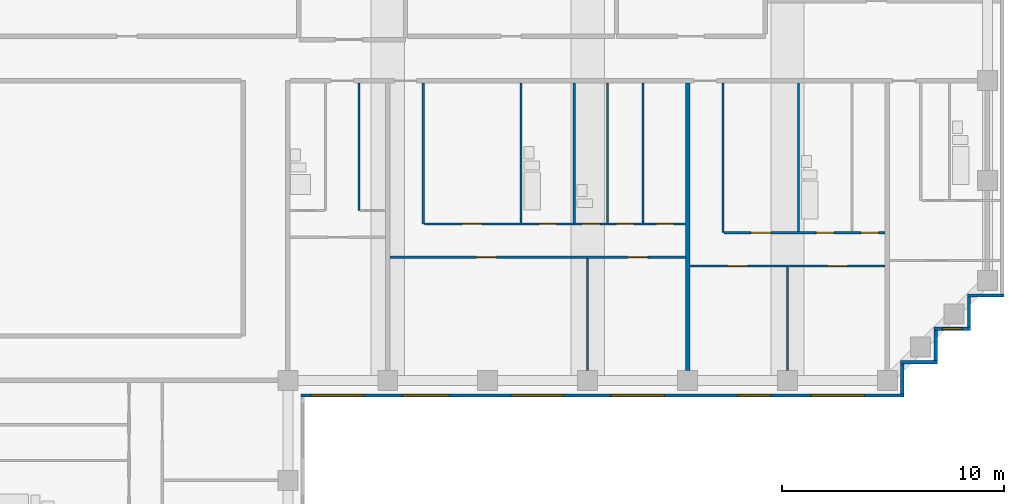
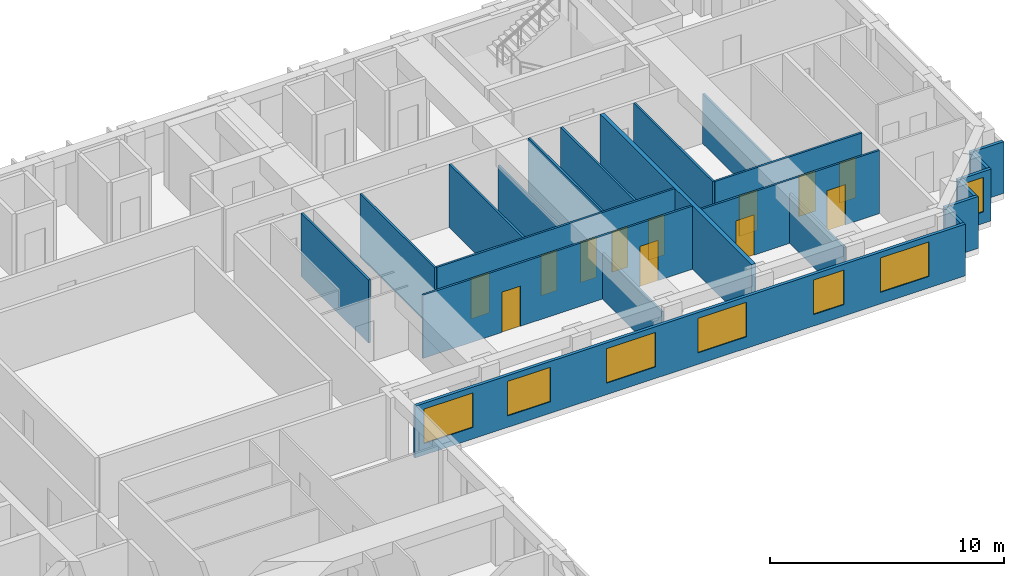
# One storey, part 4 of 9: 22 walls, 12 doors, 7 windows, 19 openings.
"""IFC4 building model written with IfcOpenShell, lengths in metres."""

from ifc_helpers import new_model, si_unit, direction, frame, frame_2d, origin, place, context, subcontext, project, spatial, rectangle, extrude, material, layer, layer_set, type_object, element, fill, save


model = new_model("IFC4")

# Units and contexts
model_context = context("Model", 3, precision=1e-05, world=origin(), true_north=direction((0.0, 1.0)))
body_context = subcontext(model_context, "Body", "Model", "MODEL_VIEW")
ifc_project = project(units=[si_unit("LENGTHUNIT", "METRE"), si_unit("AREAUNIT", "SQUARE_METRE"), si_unit("VOLUMEUNIT", "CUBIC_METRE"), si_unit("PLANEANGLEUNIT", "RADIAN"), si_unit("MASSUNIT", "GRAM", prefix="KILO")], contexts=[model_context])

# Site, building, storey
site_placement = place(None, origin())
site = spatial("IfcSite", under=ifc_project, at=site_placement, CompositionType="ELEMENT")
building_placement = place(site_placement, origin())
building = spatial("IfcBuilding", under=site, at=building_placement, Name="Firuza Court", CompositionType="ELEMENT")
storey_placement = place(building_placement, frame((0.0, 0.0, 218.60009765625)))
storey = spatial("IfcBuildingStorey", under=building, at=storey_placement, Name="L56", CompositionType="ELEMENT", Elevation=218.60009765625)

# Walls
ifc_material_1 = material(Name="Moisture-resistant gypsum board partition")
ifc_layer_1 = layer(ifc_material_1, 0.10009765625)
ifc_layer_set_1 = layer_set([ifc_layer_1], Name="Moisture-resistant gypsum board partition")
wall_type_1 = type_object("IfcWallType", Name="Bathroom partition 100", PredefinedType="PLUMBINGWALL", material=ifc_layer_set_1)
wall_1_placement = place(storey_placement, frame((45.5, 42.699951171875, 0.0), z_axis=(0.0, 0.0, 1.0), x_axis=(0.0, 1.0, 0.0)))
element("IfcWall", 1, at=wall_1_placement, inside=storey, type_object=wall_type_1, Name="Bathroom partition 100 L56", PredefinedType="PLUMBINGWALL", context=body_context, shape_type="SweptSolid", body=[
    extrude(rectangle(XDim=6.699951171875, YDim=0.10009765625, at=frame_2d((3.35009765625, 0.0))), origin(), (0.0, 0.0, 1.0), 2.599853515625),
])
wall_2_placement = place(storey_placement, frame((33.0, 43.10009765625, 0.0), z_axis=(0.0, 0.0, 1.0), x_axis=(0.0, 1.0, 0.0)))
element("IfcWall", 2, at=wall_2_placement, inside=storey, type_object=wall_type_1, Name="Bathroom partition 100 L56", PredefinedType="PLUMBINGWALL", context=body_context, shape_type="SweptSolid", body=[
    extrude(rectangle(XDim=6.2998046875, YDim=0.10009765625, at=frame_2d((3.14990234375, 0.0))), origin(), (0.0, 0.0, 1.0), 3.2998046875),
])
wall_3_placement = place(storey_placement, frame((35.39990234375, 43.10009765625, 0.0), z_axis=(0.0, 0.0, 1.0), x_axis=(0.0, 1.0, 0.0)))
element("IfcWall", 3, at=wall_3_placement, inside=storey, type_object=wall_type_1, Name="Bathroom partition 100 L56", PredefinedType="PLUMBINGWALL", context=body_context, shape_type="SweptSolid", body=[
    extrude(rectangle(XDim=6.2998046875, YDim=0.10009765625, at=frame_2d((3.14990234375, 0.0))), origin(), (0.0, 0.0, 1.0), 2.39990234375),
])
wall_4_placement = place(storey_placement, frame((36.89990234375, 43.10009765625, 0.0), z_axis=(0.0, 0.0, 1.0), x_axis=(0.0, 1.0, 0.0)))
element("IfcWall", 4, at=wall_4_placement, inside=storey, type_object=wall_type_1, Name="Bathroom partition 100 L56", PredefinedType="PLUMBINGWALL", context=body_context, shape_type="SweptSolid", body=[
    extrude(rectangle(XDim=6.2998046875, YDim=0.10009765625, at=frame_2d((3.14990234375, 0.0))), origin(), (0.0, 0.0, 1.0), 3.2998046875),
])
ifc_material_2 = material(Name="Timber stud partition, plasterboard both sides", Category="wood")
ifc_layer_2 = layer(ifc_material_2, 0.10009765625)
ifc_layer_set_2 = layer_set([ifc_layer_2], Name="Timber stud partition, plasterboard both sides")
wall_type_2 = type_object("IfcWallType", Name="Partition wall 100", PredefinedType="PARTITIONING", material=ifc_layer_set_2)
wall_5_placement = place(storey_placement, frame((36.0, 36.449951171875, 0.0), z_axis=(0.0, 0.0, 1.0), x_axis=(0.0, 1.0, 0.0)))
element("IfcWall", 5, at=wall_5_placement, inside=storey, type_object=wall_type_2, Name="Partition wall 100 L56", PredefinedType="PARTITIONING", context=body_context, shape_type="SweptSolid", body=[
    extrude(rectangle(XDim=5.050048828125, YDim=0.10009765625, at=frame_2d((2.52490234375, 0.0))), origin(), (0.0, 0.0, 1.0), 2.39990234375),
])
wall_6_placement = place(storey_placement, frame((45.0, 36.449951171875, 0.0), z_axis=(0.0, 0.0, 1.0), x_axis=(0.0, 1.0, 0.0)))
element("IfcWall", 6, at=wall_6_placement, inside=storey, type_object=wall_type_2, Name="Partition wall 100 L56", PredefinedType="PARTITIONING", context=body_context, shape_type="SweptSolid", body=[
    extrude(rectangle(XDim=4.650146484375, YDim=0.10009765625, at=frame_2d((2.3251953125, 0.0))), origin(), (0.0, 0.0, 1.0), 2.599853515625),
])

# Wall, openings, doors
wall_7_placement = place(storey_placement, frame((40.60009765625, 41.14990234375, 0.0), z_axis=(0.0, 0.0, 1.0), x_axis=(1.0, 0.0, 0.0)))
wall_7 = element("IfcWall", 7, at=wall_7_placement, inside=storey, type_object=wall_type_2, Name="Partition wall 100 L56", PredefinedType="PARTITIONING", context=body_context, shape_type="SweptSolid", body=[
    extrude(rectangle(XDim=8.7998046875, YDim=0.10009765625, at=frame_2d((4.39990234375, 0.0))), origin(), (0.0, 0.0, 1.0), 3.2998046875),
])
opening_1_placement = place(wall_7_placement, frame((1.699951171875, 0.0, 0.0)))
opening_1 = element("IfcOpeningElement", 8, at=opening_1_placement, cuts=wall_7, Name="Opening D56027", PredefinedType="OPENING", context=body_context, shape_type="SweptSolid", body=[
    extrude(rectangle(XDim=0.89990234375, YDim=2.10009765625, at=frame_2d((0.449951171875, 1.050048828125))), frame((0.0, 0.06201171875, 0.0), z_axis=(0.0, -1.0, 0.0), x_axis=(1.0, 0.0, 0.0)), (0.0, 0.0, 1.0), 0.1240234375),
])
opening_2_placement = place(wall_7_placement, frame((6.199951171875, 0.0, 0.0)))
opening_2 = element("IfcOpeningElement", 9, at=opening_2_placement, cuts=wall_7, Name="Opening D56028", PredefinedType="OPENING", context=body_context, shape_type="SweptSolid", body=[
    extrude(rectangle(XDim=0.89990234375, YDim=2.10009765625, at=frame_2d((0.449951171875, 1.050048828125))), frame((0.0, 0.06201171875, 0.0), z_axis=(0.0, -1.0, 0.0), x_axis=(1.0, 0.0, 0.0)), (0.0, 0.0, 1.0), 0.1240234375),
])
ifc_material_3 = material(Name="Timber door leaf in hardwood frame", Category="wood")
door_type_1 = type_object("IfcDoorType", Name="Room door 900", OperationType="SINGLE_SWING_LEFT", PredefinedType="DOOR", material=ifc_material_3)
door_1_placement = place(opening_1_placement, frame((0.89990234375, 0.0, 0.0), z_axis=(0.0, 0.0, 1.0), x_axis=(-1.0, 0.0, 0.0)))
door_1 = element("IfcDoor", 10, at=door_1_placement, inside=storey, type_object=door_type_1, Name="Living room door", OperationType="SINGLE_SWING_RIGHT", OverallHeight=2.10009765625, OverallWidth=0.89990234375, PredefinedType="DOOR", context=body_context, shape_type="SweptSolid", body=[
    extrude(rectangle(XDim=0.89990234375, YDim=2.10009765625, at=frame_2d((0.449951171875, 1.050048828125))), frame((0.0, 0.02490234375, 0.0), z_axis=(0.0, -1.0, 0.0), x_axis=(1.0, 0.0, 0.0)), (0.0, 0.0, 1.0), 0.050048828125),
])
fill(opening_1, door_1)
door_2_placement = place(opening_2_placement, frame((0.89990234375, 0.0, 0.0), z_axis=(0.0, 0.0, 1.0), x_axis=(-1.0, 0.0, 0.0)))
door_2 = element("IfcDoor", 11, at=door_2_placement, inside=storey, type_object=door_type_1, Name="Bedroom door", OperationType="SINGLE_SWING_RIGHT", OverallHeight=2.10009765625, OverallWidth=0.89990234375, PredefinedType="DOOR", context=body_context, shape_type="SweptSolid", body=[
    extrude(rectangle(XDim=0.89990234375, YDim=2.10009765625, at=frame_2d((0.449951171875, 1.050048828125))), frame((0.0, 0.02490234375, 0.0), z_axis=(0.0, -1.0, 0.0), x_axis=(1.0, 0.0, 0.0)), (0.0, 0.0, 1.0), 0.050048828125),
])
fill(opening_2, door_2)

wall_8_placement = place(storey_placement, frame((27.10009765625, 41.550048828125, 0.0), z_axis=(0.0, 0.0, 1.0), x_axis=(1.0, 0.0, 0.0)))
wall_8 = element("IfcWall", 12, at=wall_8_placement, inside=storey, type_object=wall_type_2, Name="Partition wall 100 L56", PredefinedType="PARTITIONING", context=body_context, shape_type="SweptSolid", body=[
    extrude(rectangle(XDim=13.2998046875, YDim=0.10009765625, at=frame_2d((6.64990234375, 0.0))), origin(), (0.0, 0.0, 1.0), 3.2998046875),
])
opening_3_placement = place(wall_8_placement, frame((3.89990234375, 0.0, 0.0)))
opening_3 = element("IfcOpeningElement", 13, at=opening_3_placement, cuts=wall_8, Name="Opening D56030", PredefinedType="OPENING", context=body_context, shape_type="SweptSolid", body=[
    extrude(rectangle(XDim=0.89990234375, YDim=2.10009765625, at=frame_2d((0.449951171875, 1.050048828125))), frame((0.0, 0.06201171875, 0.0), z_axis=(0.0, -1.0, 0.0), x_axis=(1.0, 0.0, 0.0)), (0.0, 0.0, 1.0), 0.1240234375),
])
opening_4_placement = place(wall_8_placement, frame((10.699951171875, 0.0, 0.0)))
opening_4 = element("IfcOpeningElement", 14, at=opening_4_placement, cuts=wall_8, Name="Opening D56031", PredefinedType="OPENING", context=body_context, shape_type="SweptSolid", body=[
    extrude(rectangle(XDim=0.89990234375, YDim=2.10009765625, at=frame_2d((0.449951171875, 1.050048828125))), frame((0.0, 0.06201171875, 0.0), z_axis=(0.0, -1.0, 0.0), x_axis=(1.0, 0.0, 0.0)), (0.0, 0.0, 1.0), 0.1240234375),
])
door_3_placement = place(opening_3_placement, frame((0.89990234375, 0.0, 0.0), z_axis=(0.0, 0.0, 1.0), x_axis=(-1.0, 0.0, 0.0)))
door_3 = element("IfcDoor", 15, at=door_3_placement, inside=storey, type_object=door_type_1, Name="Living room door", OperationType="SINGLE_SWING_RIGHT", OverallHeight=2.10009765625, OverallWidth=0.89990234375, PredefinedType="DOOR", context=body_context, shape_type="SweptSolid", body=[
    extrude(rectangle(XDim=0.89990234375, YDim=2.10009765625, at=frame_2d((0.449951171875, 1.050048828125))), frame((0.0, 0.02490234375, 0.0), z_axis=(0.0, -1.0, 0.0), x_axis=(1.0, 0.0, 0.0)), (0.0, 0.0, 1.0), 0.050048828125),
])
fill(opening_3, door_3)
door_4_placement = place(opening_4_placement, frame((0.89990234375, 0.0, 0.0), z_axis=(0.0, 0.0, 1.0), x_axis=(-1.0, 0.0, 0.0)))
door_4 = element("IfcDoor", 16, at=door_4_placement, inside=storey, type_object=door_type_1, Name="Bedroom door", OperationType="SINGLE_SWING_RIGHT", OverallHeight=2.10009765625, OverallWidth=0.89990234375, PredefinedType="DOOR", context=body_context, shape_type="SweptSolid", body=[
    extrude(rectangle(XDim=0.89990234375, YDim=2.10009765625, at=frame_2d((0.449951171875, 1.050048828125))), frame((0.0, 0.02490234375, 0.0), z_axis=(0.0, -1.0, 0.0), x_axis=(1.0, 0.0, 0.0)), (0.0, 0.0, 1.0), 0.050048828125),
])
fill(opening_4, door_4)

# Wall
wall_9_placement = place(storey_placement, frame((42.10009765625, 42.64990234375, 0.0), z_axis=(0.0, 0.0, 1.0), x_axis=(0.0, 1.0, 0.0)))
element("IfcWall", 17, at=wall_9_placement, inside=storey, type_object=wall_type_2, Name="Partition wall 100 L56", PredefinedType="PARTITIONING", context=body_context, shape_type="SweptSolid", body=[
    extrude(rectangle(XDim=6.75, YDim=0.10009765625, at=frame_2d((3.375, 0.0))), origin(), (0.0, 0.0, 1.0), 3.2998046875),
])

# Wall, openings, doors
wall_10_placement = place(storey_placement, frame((42.14990234375, 42.64990234375, 0.0), z_axis=(0.0, 0.0, 1.0), x_axis=(1.0, 0.0, 0.0)))
wall_10 = element("IfcWall", 18, at=wall_10_placement, inside=storey, type_object=wall_type_2, Name="Partition wall 100 L56", PredefinedType="PARTITIONING", context=body_context, shape_type="SweptSolid", body=[
    extrude(rectangle(XDim=7.25, YDim=0.10009765625, at=frame_2d((3.625, 0.0))), origin(), (0.0, 0.0, 1.0), 3.2998046875),
])
opening_5_placement = place(wall_10_placement, frame((4.14990234375, 0.0, 0.0)))
opening_5 = element("IfcOpeningElement", 19, at=opening_5_placement, cuts=wall_10, Name="Opening D56033", PredefinedType="OPENING", context=body_context, shape_type="SweptSolid", body=[
    extrude(rectangle(XDim=0.800048828125, YDim=2.10009765625, at=frame_2d((0.39990234375, 1.050048828125))), frame((0.0, 0.06201171875, 0.0), z_axis=(0.0, -1.0, 0.0), x_axis=(1.0, 0.0, 0.0)), (0.0, 0.0, 1.0), 0.1240234375),
])
opening_6_placement = place(wall_10_placement, frame((1.199951171875, 0.0, 0.0)))
opening_6 = element("IfcOpeningElement", 20, at=opening_6_placement, cuts=wall_10, Name="Opening D56034", PredefinedType="OPENING", context=body_context, shape_type="SweptSolid", body=[
    extrude(rectangle(XDim=0.89990234375, YDim=2.10009765625, at=frame_2d((0.449951171875, 1.050048828125))), frame((0.0, 0.06201171875, 0.0), z_axis=(0.0, -1.0, 0.0), x_axis=(1.0, 0.0, 0.0)), (0.0, 0.0, 1.0), 0.1240234375),
])
opening_7_placement = place(wall_10_placement, frame((6.14990234375, 0.0, 0.0)))
opening_7 = element("IfcOpeningElement", 21, at=opening_7_placement, cuts=wall_10, Name="Opening D56035", PredefinedType="OPENING", context=body_context, shape_type="SweptSolid", body=[
    extrude(rectangle(XDim=0.800048828125, YDim=2.10009765625, at=frame_2d((0.39990234375, 1.050048828125))), frame((0.0, 0.06201171875, 0.0), z_axis=(0.0, -1.0, 0.0), x_axis=(1.0, 0.0, 0.0)), (0.0, 0.0, 1.0), 0.1240234375),
])
ifc_material_4 = material(Name="Timber door leaf in hardwood frame", Category="wood")
door_type_2 = type_object("IfcDoorType", Name="Bathroom door 800", OperationType="SINGLE_SWING_LEFT", PredefinedType="DOOR", material=ifc_material_4)
door_5_placement = place(opening_5_placement, origin())
door_5 = element("IfcDoor", 22, at=door_5_placement, inside=storey, type_object=door_type_2, Name="Bathroom door", OperationType="SINGLE_SWING_LEFT", OverallHeight=2.10009765625, OverallWidth=0.800048828125, PredefinedType="DOOR", context=body_context, shape_type="SweptSolid", body=[
    extrude(rectangle(XDim=0.800048828125, YDim=2.10009765625, at=frame_2d((0.39990234375, 1.050048828125))), frame((0.0, 0.02490234375, 0.0), z_axis=(0.0, -1.0, 0.0), x_axis=(1.0, 0.0, 0.0)), (0.0, 0.0, 1.0), 0.050048828125),
])
fill(opening_5, door_5)
ifc_material_5 = material(Name="Timber door leaf in hardwood frame", Category="wood")
door_type_3 = type_object("IfcDoorType", Name="Room door 800", OperationType="SINGLE_SWING_LEFT", PredefinedType="DOOR", material=ifc_material_5)
door_6_placement = place(opening_7_placement, origin())
door_6 = element("IfcDoor", 23, at=door_6_placement, inside=storey, type_object=door_type_3, Name="Store door", OperationType="SINGLE_SWING_LEFT", OverallHeight=2.10009765625, OverallWidth=0.800048828125, PredefinedType="DOOR", context=body_context, shape_type="SweptSolid", body=[
    extrude(rectangle(XDim=0.800048828125, YDim=2.10009765625, at=frame_2d((0.39990234375, 1.050048828125))), frame((0.0, 0.02490234375, 0.0), z_axis=(0.0, -1.0, 0.0), x_axis=(1.0, 0.0, 0.0)), (0.0, 0.0, 1.0), 0.050048828125),
])
fill(opening_7, door_6)
door_7_placement = place(opening_6_placement, origin())
door_7 = element("IfcDoor", 24, at=door_7_placement, inside=storey, type_object=door_type_1, Name="Kitchen door", OperationType="SINGLE_SWING_LEFT", OverallHeight=2.10009765625, OverallWidth=0.89990234375, PredefinedType="DOOR", context=body_context, shape_type="SweptSolid", body=[
    extrude(rectangle(XDim=0.89990234375, YDim=2.10009765625, at=frame_2d((0.449951171875, 1.050048828125))), frame((0.0, 0.02490234375, 0.0), z_axis=(0.0, -1.0, 0.0), x_axis=(1.0, 0.0, 0.0)), (0.0, 0.0, 1.0), 0.050048828125),
])
fill(opening_6, door_7)

# Wall
wall_11_placement = place(storey_placement, frame((28.60009765625, 43.050048828125, 0.0), z_axis=(0.0, 0.0, 1.0), x_axis=(0.0, 1.0, 0.0)))
element("IfcWall", 25, at=wall_11_placement, inside=storey, type_object=wall_type_2, Name="Partition wall 100 L56", PredefinedType="PARTITIONING", context=body_context, shape_type="SweptSolid", body=[
    extrude(rectangle(XDim=6.349853515625, YDim=0.10009765625, at=frame_2d((3.1748046875, 0.0))), origin(), (0.0, 0.0, 1.0), 3.2998046875),
])

# Wall, openings, doors
wall_12_placement = place(storey_placement, frame((28.64990234375, 43.050048828125, 0.0), z_axis=(0.0, 0.0, 1.0), x_axis=(1.0, 0.0, 0.0)))
wall_12 = element("IfcWall", 26, at=wall_12_placement, inside=storey, type_object=wall_type_2, Name="Partition wall 100 L56", PredefinedType="PARTITIONING", context=body_context, shape_type="SweptSolid", body=[
    extrude(rectangle(XDim=11.75, YDim=0.10009765625, at=frame_2d((5.875, 0.0))), origin(), (0.0, 0.0, 1.0), 3.2998046875),
])
opening_8_placement = place(wall_12_placement, frame((5.14990234375, 0.0, 0.0)))
opening_8 = element("IfcOpeningElement", 27, at=opening_8_placement, cuts=wall_12, Name="Opening D56036", PredefinedType="OPENING", context=body_context, shape_type="SweptSolid", body=[
    extrude(rectangle(XDim=0.800048828125, YDim=2.10009765625, at=frame_2d((0.39990234375, 1.050048828125))), frame((0.0, 0.06201171875, 0.0), z_axis=(0.0, -1.0, 0.0), x_axis=(1.0, 0.0, 0.0)), (0.0, 0.0, 1.0), 0.1240234375),
])
opening_9_placement = place(wall_12_placement, frame((1.699951171875, 0.0, 0.0)))
opening_9 = element("IfcOpeningElement", 28, at=opening_9_placement, cuts=wall_12, Name="Opening D56037", PredefinedType="OPENING", context=body_context, shape_type="SweptSolid", body=[
    extrude(rectangle(XDim=0.89990234375, YDim=2.10009765625, at=frame_2d((0.449951171875, 1.050048828125))), frame((0.0, 0.06201171875, 0.0), z_axis=(0.0, -1.0, 0.0), x_axis=(1.0, 0.0, 0.0)), (0.0, 0.0, 1.0), 0.1240234375),
])
opening_10_placement = place(wall_12_placement, frame((8.64990234375, 0.0, 0.0)))
opening_10 = element("IfcOpeningElement", 29, at=opening_10_placement, cuts=wall_12, Name="Opening D56038", PredefinedType="OPENING", context=body_context, shape_type="SweptSolid", body=[
    extrude(rectangle(XDim=0.800048828125, YDim=2.10009765625, at=frame_2d((0.39990234375, 1.050048828125))), frame((0.0, 0.06201171875, 0.0), z_axis=(0.0, -1.0, 0.0), x_axis=(1.0, 0.0, 0.0)), (0.0, 0.0, 1.0), 0.1240234375),
])
opening_11_placement = place(wall_12_placement, frame((10.449951171875, 0.0, 0.0)))
opening_11 = element("IfcOpeningElement", 30, at=opening_11_placement, cuts=wall_12, Name="Opening D56039", PredefinedType="OPENING", context=body_context, shape_type="SweptSolid", body=[
    extrude(rectangle(XDim=0.800048828125, YDim=2.10009765625, at=frame_2d((0.39990234375, 1.050048828125))), frame((0.0, 0.06201171875, 0.0), z_axis=(0.0, -1.0, 0.0), x_axis=(1.0, 0.0, 0.0)), (0.0, 0.0, 1.0), 0.1240234375),
])
opening_12_placement = place(wall_12_placement, frame((7.10009765625, 0.0, 0.0)))
opening_12 = element("IfcOpeningElement", 31, at=opening_12_placement, cuts=wall_12, Name="Opening D56040", PredefinedType="OPENING", context=body_context, shape_type="SweptSolid", body=[
    extrude(rectangle(XDim=0.800048828125, YDim=2.10009765625, at=frame_2d((0.39990234375, 1.050048828125))), frame((0.0, 0.06201171875, 0.0), z_axis=(0.0, -1.0, 0.0), x_axis=(1.0, 0.0, 0.0)), (0.0, 0.0, 1.0), 0.1240234375),
])
door_8_placement = place(opening_8_placement, origin())
door_8 = element("IfcDoor", 32, at=door_8_placement, inside=storey, type_object=door_type_2, Name="Bathroom door", OperationType="SINGLE_SWING_LEFT", OverallHeight=2.10009765625, OverallWidth=0.800048828125, PredefinedType="DOOR", context=body_context, shape_type="SweptSolid", body=[
    extrude(rectangle(XDim=0.800048828125, YDim=2.10009765625, at=frame_2d((0.39990234375, 1.050048828125))), frame((0.0, 0.02490234375, 0.0), z_axis=(0.0, -1.0, 0.0), x_axis=(1.0, 0.0, 0.0)), (0.0, 0.0, 1.0), 0.050048828125),
])
fill(opening_8, door_8)
door_9_placement = place(opening_12_placement, origin())
door_9 = element("IfcDoor", 33, at=door_9_placement, inside=storey, type_object=door_type_2, Name="Powder room door", OperationType="SINGLE_SWING_LEFT", OverallHeight=2.10009765625, OverallWidth=0.800048828125, PredefinedType="DOOR", context=body_context, shape_type="SweptSolid", body=[
    extrude(rectangle(XDim=0.800048828125, YDim=2.10009765625, at=frame_2d((0.39990234375, 1.050048828125))), frame((0.0, 0.02490234375, 0.0), z_axis=(0.0, -1.0, 0.0), x_axis=(1.0, 0.0, 0.0)), (0.0, 0.0, 1.0), 0.050048828125),
])
fill(opening_12, door_9)
door_10_placement = place(opening_10_placement, origin())
door_10 = element("IfcDoor", 34, at=door_10_placement, inside=storey, type_object=door_type_3, Name="Store door", OperationType="SINGLE_SWING_LEFT", OverallHeight=2.10009765625, OverallWidth=0.800048828125, PredefinedType="DOOR", context=body_context, shape_type="SweptSolid", body=[
    extrude(rectangle(XDim=0.800048828125, YDim=2.10009765625, at=frame_2d((0.39990234375, 1.050048828125))), frame((0.0, 0.02490234375, 0.0), z_axis=(0.0, -1.0, 0.0), x_axis=(1.0, 0.0, 0.0)), (0.0, 0.0, 1.0), 0.050048828125),
])
fill(opening_10, door_10)
door_11_placement = place(opening_11_placement, origin())
door_11 = element("IfcDoor", 35, at=door_11_placement, inside=storey, type_object=door_type_3, Name="Utility room door", OperationType="SINGLE_SWING_LEFT", OverallHeight=2.10009765625, OverallWidth=0.800048828125, PredefinedType="DOOR", context=body_context, shape_type="SweptSolid", body=[
    extrude(rectangle(XDim=0.800048828125, YDim=2.10009765625, at=frame_2d((0.39990234375, 1.050048828125))), frame((0.0, 0.02490234375, 0.0), z_axis=(0.0, -1.0, 0.0), x_axis=(1.0, 0.0, 0.0)), (0.0, 0.0, 1.0), 0.050048828125),
])
fill(opening_11, door_11)
door_12_placement = place(opening_9_placement, origin())
door_12 = element("IfcDoor", 36, at=door_12_placement, inside=storey, type_object=door_type_1, Name="Kitchen door", OperationType="SINGLE_SWING_LEFT", OverallHeight=2.10009765625, OverallWidth=0.89990234375, PredefinedType="DOOR", context=body_context, shape_type="SweptSolid", body=[
    extrude(rectangle(XDim=0.89990234375, YDim=2.10009765625, at=frame_2d((0.449951171875, 1.050048828125))), frame((0.0, 0.02490234375, 0.0), z_axis=(0.0, -1.0, 0.0), x_axis=(1.0, 0.0, 0.0)), (0.0, 0.0, 1.0), 0.050048828125),
])
fill(opening_9, door_12)

# Walls
wall_13_placement = place(storey_placement, frame((38.5, 43.10009765625, 0.0), z_axis=(0.0, 0.0, 1.0), x_axis=(0.0, 1.0, 0.0)))
element("IfcWall", 37, at=wall_13_placement, inside=storey, type_object=wall_type_2, Name="Partition wall 100 L56", PredefinedType="PARTITIONING", context=body_context, shape_type="SweptSolid", body=[
    extrude(rectangle(XDim=6.2998046875, YDim=0.10009765625, at=frame_2d((3.14990234375, 0.0))), origin(), (0.0, 0.0, 1.0), 3.2998046875),
])
wall_14_placement = place(storey_placement, frame((25.699951171875, 43.64990234375, 0.0), z_axis=(0.0, 0.0, 1.0), x_axis=(0.0, 1.0, 0.0)))
element("IfcWall", 38, at=wall_14_placement, inside=storey, type_object=wall_type_2, Name="Partition wall 100 L56", PredefinedType="PARTITIONING", context=body_context, shape_type="SweptSolid", body=[
    extrude(rectangle(XDim=5.75, YDim=0.10009765625, at=frame_2d((2.875, 0.0))), origin(), (0.0, 0.0, 1.0), 3.2998046875),
])
ifc_material_6 = material(Name="Blockwork, plastered both sides", Category="masonry")
ifc_layer_3 = layer(ifc_material_6, 0.199951171875)
ifc_layer_set_3 = layer_set([ifc_layer_3], Name="Blockwork, plastered both sides")
wall_type_3 = type_object("IfcWallType", Name="Party wall 200", PredefinedType="PARTITIONING", material=ifc_layer_set_3)
wall_15_placement = place(storey_placement, frame((40.5, 36.449951171875, 0.0), z_axis=(0.0, 0.0, 1.0), x_axis=(0.0, 1.0, 0.0)))
element("IfcWall", 39, at=wall_15_placement, inside=storey, type_object=wall_type_3, Name="Party wall 200 L56", PredefinedType="PARTITIONING", context=body_context, shape_type="SweptSolid", body=[
    extrude(rectangle(XDim=12.949951171875, YDim=0.199951171875, at=frame_2d((6.47509765625, 0.0))), origin(), (0.0, 0.0, 1.0), 3.2998046875),
])

# Wall, openings, windows
ifc_material_7 = material(Name="Ceramic tile", Category="ceramic")
ifc_layer_4 = layer(ifc_material_7, 0.02001953125)
ifc_material_8 = material(Name="Mineral wool insulation", Category="insulation")
ifc_layer_5 = layer(ifc_material_8, 0.050048828125)
ifc_material_9 = material(Name="Concrete C40/50 precast", Category="concrete")
ifc_layer_6 = layer(ifc_material_9, 0.080078125)
ifc_layer_set_4 = layer_set([ifc_layer_4, ifc_layer_5, ifc_layer_6], Name="Concrete C40/50 precast")
wall_type_4 = type_object("IfcWallType", Name="Precast cladding wall with turquoise TILE PANEL face 150", PredefinedType="STANDARD", material=ifc_layer_set_4)
wall_16_placement = place(storey_placement, frame((23.10009765625, 35.324951171875, 0.0), z_axis=(0.0, 0.0, 1.0), x_axis=(1.0, 0.0, 0.0)))
wall_16 = element("IfcWall", 40, at=wall_16_placement, inside=storey, type_object=wall_type_4, Name="Facade wall L56 S", PredefinedType="STANDARD", context=body_context, shape_type="SweptSolid", body=[
    extrude(rectangle(XDim=27.14990234375, YDim=0.14990234375, at=frame_2d((13.574951171875, 0.0))), origin(), (0.0, 0.0, 1.0), 2.699951171875),
])
opening_13_placement = place(wall_16_placement, frame((0.449951171875, 0.0, 0.60009765625)))
opening_13 = element("IfcOpeningElement", 41, at=opening_13_placement, cuts=wall_16, Name="Opening W1", PredefinedType="OPENING", context=body_context, shape_type="SweptSolid", body=[
    extrude(rectangle(XDim=2.39990234375, YDim=1.800048828125, at=frame_2d((1.199951171875, 0.89990234375))), frame((0.0, 0.0869140625, 0.0), z_axis=(0.0, -1.0, 0.0), x_axis=(1.0, 0.0, 0.0)), (0.0, 0.0, 1.0), 0.173828125),
])
opening_14_placement = place(wall_16_placement, frame((4.5712890625, 0.0, 0.60009765625)))
opening_14 = element("IfcOpeningElement", 42, at=opening_14_placement, cuts=wall_16, Name="Opening W6", PredefinedType="OPENING", context=body_context, shape_type="SweptSolid", body=[
    extrude(rectangle(XDim=2.10009765625, YDim=1.800048828125, at=frame_2d((1.050048828125, 0.89990234375))), frame((0.0, 0.0869140625, 0.0), z_axis=(0.0, -1.0, 0.0), x_axis=(1.0, 0.0, 0.0)), (0.0, 0.0, 1.0), 0.173828125),
])
opening_15_placement = place(wall_16_placement, frame((9.449951171875, 0.0, 0.60009765625)))
opening_15 = element("IfcOpeningElement", 43, at=opening_15_placement, cuts=wall_16, Name="Opening W1", PredefinedType="OPENING", context=body_context, shape_type="SweptSolid", body=[
    extrude(rectangle(XDim=2.39990234375, YDim=1.800048828125, at=frame_2d((1.199951171875, 0.89990234375))), frame((0.0, 0.0869140625, 0.0), z_axis=(0.0, -1.0, 0.0), x_axis=(1.0, 0.0, 0.0)), (0.0, 0.0, 1.0), 0.173828125),
])
opening_16_placement = place(wall_16_placement, frame((13.949951171875, 0.0, 0.60009765625)))
opening_16 = element("IfcOpeningElement", 44, at=opening_16_placement, cuts=wall_16, Name="Opening W1", PredefinedType="OPENING", context=body_context, shape_type="SweptSolid", body=[
    extrude(rectangle(XDim=2.39990234375, YDim=1.800048828125, at=frame_2d((1.199951171875, 0.89990234375))), frame((0.0, 0.0869140625, 0.0), z_axis=(0.0, -1.0, 0.0), x_axis=(1.0, 0.0, 0.0)), (0.0, 0.0, 1.0), 0.173828125),
])
opening_17_placement = place(wall_16_placement, frame((19.6572265625, 0.0, 0.60009765625)))
opening_17 = element("IfcOpeningElement", 45, at=opening_17_placement, cuts=wall_16, Name="Opening W2", PredefinedType="OPENING", context=body_context, shape_type="SweptSolid", body=[
    extrude(rectangle(XDim=1.5, YDim=1.800048828125, at=frame_2d((0.75, 0.89990234375))), frame((0.0, 0.0869140625, 0.0), z_axis=(0.0, -1.0, 0.0), x_axis=(1.0, 0.0, 0.0)), (0.0, 0.0, 1.0), 0.173828125),
])
opening_18_placement = place(wall_16_placement, frame((22.949951171875, 0.0, 0.60009765625)))
opening_18 = element("IfcOpeningElement", 46, at=opening_18_placement, cuts=wall_16, Name="Opening W1", PredefinedType="OPENING", context=body_context, shape_type="SweptSolid", body=[
    extrude(rectangle(XDim=2.39990234375, YDim=1.800048828125, at=frame_2d((1.199951171875, 0.89990234375))), frame((0.0, 0.0869140625, 0.0), z_axis=(0.0, -1.0, 0.0), x_axis=(1.0, 0.0, 0.0)), (0.0, 0.0, 1.0), 0.173828125),
])
ifc_material_10 = material(Name="Aluminium frame, triple clear glazing", Category="aluminium")
window_type_1 = type_object("IfcWindowType", Name="Window W1 2400 x 1800", PartitioningType="SINGLE_PANEL", PredefinedType="WINDOW", material=ifc_material_10)
window_1_placement = place(opening_13_placement, origin())
window_1 = element("IfcWindow", 47, at=window_1_placement, inside=storey, type_object=window_type_1, Name="Window L56", OverallHeight=1.800048828125, OverallWidth=2.39990234375, PartitioningType="SINGLE_PANEL", PredefinedType="WINDOW", context=body_context, shape_type="SweptSolid", body=[
    extrude(rectangle(XDim=2.39990234375, YDim=1.800048828125, at=frame_2d((1.199951171875, 0.89990234375))), frame((0.0, 0.030029296875, 0.0), z_axis=(0.0, -1.0, 0.0), x_axis=(1.0, 0.0, 0.0)), (0.0, 0.0, 1.0), 0.06005859375),
])
fill(opening_13, window_1)
window_2_placement = place(opening_15_placement, origin())
window_2 = element("IfcWindow", 48, at=window_2_placement, inside=storey, type_object=window_type_1, Name="Window L56", OverallHeight=1.800048828125, OverallWidth=2.39990234375, PartitioningType="SINGLE_PANEL", PredefinedType="WINDOW", context=body_context, shape_type="SweptSolid", body=[
    extrude(rectangle(XDim=2.39990234375, YDim=1.800048828125, at=frame_2d((1.199951171875, 0.89990234375))), frame((0.0, 0.030029296875, 0.0), z_axis=(0.0, -1.0, 0.0), x_axis=(1.0, 0.0, 0.0)), (0.0, 0.0, 1.0), 0.06005859375),
])
fill(opening_15, window_2)
window_3_placement = place(opening_16_placement, origin())
window_3 = element("IfcWindow", 49, at=window_3_placement, inside=storey, type_object=window_type_1, Name="Window L56", OverallHeight=1.800048828125, OverallWidth=2.39990234375, PartitioningType="SINGLE_PANEL", PredefinedType="WINDOW", context=body_context, shape_type="SweptSolid", body=[
    extrude(rectangle(XDim=2.39990234375, YDim=1.800048828125, at=frame_2d((1.199951171875, 0.89990234375))), frame((0.0, 0.030029296875, 0.0), z_axis=(0.0, -1.0, 0.0), x_axis=(1.0, 0.0, 0.0)), (0.0, 0.0, 1.0), 0.06005859375),
])
fill(opening_16, window_3)
window_4_placement = place(opening_18_placement, origin())
window_4 = element("IfcWindow", 50, at=window_4_placement, inside=storey, type_object=window_type_1, Name="Window L56", OverallHeight=1.800048828125, OverallWidth=2.39990234375, PartitioningType="SINGLE_PANEL", PredefinedType="WINDOW", context=body_context, shape_type="SweptSolid", body=[
    extrude(rectangle(XDim=2.39990234375, YDim=1.800048828125, at=frame_2d((1.199951171875, 0.89990234375))), frame((0.0, 0.030029296875, 0.0), z_axis=(0.0, -1.0, 0.0), x_axis=(1.0, 0.0, 0.0)), (0.0, 0.0, 1.0), 0.06005859375),
])
fill(opening_18, window_4)
ifc_material_11 = material(Name="Aluminium frame, triple clear glazing", Category="aluminium")
window_type_2 = type_object("IfcWindowType", Name="Window W2 1500 x 1800", PartitioningType="SINGLE_PANEL", PredefinedType="WINDOW", material=ifc_material_11)
window_5_placement = place(opening_17_placement, origin())
window_5 = element("IfcWindow", 51, at=window_5_placement, inside=storey, type_object=window_type_2, Name="Window L56", OverallHeight=1.800048828125, OverallWidth=1.5, PartitioningType="SINGLE_PANEL", PredefinedType="WINDOW", context=body_context, shape_type="SweptSolid", body=[
    extrude(rectangle(XDim=1.5, YDim=1.800048828125, at=frame_2d((0.75, 0.89990234375))), frame((0.0, 0.030029296875, 0.0), z_axis=(0.0, -1.0, 0.0), x_axis=(1.0, 0.0, 0.0)), (0.0, 0.0, 1.0), 0.06005859375),
])
fill(opening_17, window_5)
ifc_material_12 = material(Name="Aluminium frame, triple clear glazing", Category="aluminium")
window_type_3 = type_object("IfcWindowType", Name="Window W6 2100 x 1800", PartitioningType="SINGLE_PANEL", PredefinedType="WINDOW", material=ifc_material_12)
window_6_placement = place(opening_14_placement, origin())
window_6 = element("IfcWindow", 52, at=window_6_placement, inside=storey, type_object=window_type_3, Name="Window L56", OverallHeight=1.800048828125, OverallWidth=2.10009765625, PartitioningType="SINGLE_PANEL", PredefinedType="WINDOW", context=body_context, shape_type="SweptSolid", body=[
    extrude(rectangle(XDim=2.10009765625, YDim=1.800048828125, at=frame_2d((1.050048828125, 0.89990234375))), frame((0.0, 0.030029296875, 0.0), z_axis=(0.0, -1.0, 0.0), x_axis=(1.0, 0.0, 0.0)), (0.0, 0.0, 1.0), 0.06005859375),
])
fill(opening_14, window_6)

# Walls
wall_17_placement = place(storey_placement, frame((50.175048828125, 35.39990234375, 0.0), z_axis=(0.0, 0.0, 1.0), x_axis=(0.0, 1.0, 0.0)))
element("IfcWall", 53, at=wall_17_placement, inside=storey, type_object=wall_type_4, Name="Facade wall L56 E", PredefinedType="STANDARD", context=body_context, shape_type="SweptSolid", body=[
    extrude(rectangle(XDim=1.35009765625, YDim=0.14990234375, at=frame_2d((0.675048828125, 0.0))), origin(), (0.0, 0.0, 1.0), 2.699951171875),
])
wall_18_placement = place(storey_placement, frame((50.10009765625, 36.824951171875, 0.0), z_axis=(0.0, 0.0, 1.0), x_axis=(1.0, 0.0, 0.0)))
element("IfcWall", 54, at=wall_18_placement, inside=storey, type_object=wall_type_4, Name="Facade wall L56 S", PredefinedType="STANDARD", context=body_context, shape_type="SweptSolid", body=[
    extrude(rectangle(XDim=1.64990234375, YDim=0.14990234375, at=frame_2d((0.824951171875, 0.0))), origin(), (0.0, 0.0, 1.0), 2.699951171875),
])
wall_19_placement = place(storey_placement, frame((51.675048828125, 36.89990234375, 0.0), z_axis=(0.0, 0.0, 1.0), x_axis=(0.0, 1.0, 0.0)))
element("IfcWall", 55, at=wall_19_placement, inside=storey, type_object=wall_type_4, Name="Facade wall L56 E", PredefinedType="STANDARD", context=body_context, shape_type="SweptSolid", body=[
    extrude(rectangle(XDim=1.35009765625, YDim=0.14990234375, at=frame_2d((0.675048828125, 0.0))), origin(), (0.0, 0.0, 1.0), 2.699951171875),
])

# Wall, opening, window
wall_20_placement = place(storey_placement, frame((51.60009765625, 38.324951171875, 0.0), z_axis=(0.0, 0.0, 1.0), x_axis=(1.0, 0.0, 0.0)))
wall_20 = element("IfcWall", 56, at=wall_20_placement, inside=storey, type_object=wall_type_4, Name="Facade wall L56 S", PredefinedType="STANDARD", context=body_context, shape_type="SweptSolid", body=[
    extrude(rectangle(XDim=1.64990234375, YDim=0.14990234375, at=frame_2d((0.824951171875, 0.0))), origin(), (0.0, 0.0, 1.0), 2.699951171875),
])
opening_19_placement = place(wall_20_placement, frame((0.375, 0.0, 0.60009765625)))
opening_19 = element("IfcOpeningElement", 57, at=opening_19_placement, cuts=wall_20, Name="Opening W3", PredefinedType="OPENING", context=body_context, shape_type="SweptSolid", body=[
    extrude(rectangle(XDim=0.89990234375, YDim=1.800048828125, at=frame_2d((0.449951171875, 0.89990234375))), frame((0.0, 0.0869140625, 0.0), z_axis=(0.0, -1.0, 0.0), x_axis=(1.0, 0.0, 0.0)), (0.0, 0.0, 1.0), 0.173828125),
])
ifc_material_13 = material(Name="Aluminium frame, triple clear glazing", Category="aluminium")
window_type_4 = type_object("IfcWindowType", Name="Window W3 900 x 1800", PartitioningType="SINGLE_PANEL", PredefinedType="WINDOW", material=ifc_material_13)
window_7_placement = place(opening_19_placement, origin())
window_7 = element("IfcWindow", 58, at=window_7_placement, inside=storey, type_object=window_type_4, Name="Window L56", OverallHeight=1.800048828125, OverallWidth=0.89990234375, PartitioningType="SINGLE_PANEL", PredefinedType="WINDOW", context=body_context, shape_type="SweptSolid", body=[
    extrude(rectangle(XDim=0.89990234375, YDim=1.800048828125, at=frame_2d((0.449951171875, 0.89990234375))), frame((0.0, 0.030029296875, 0.0), z_axis=(0.0, -1.0, 0.0), x_axis=(1.0, 0.0, 0.0)), (0.0, 0.0, 1.0), 0.06005859375),
])
fill(opening_19, window_7)

# Walls
wall_21_placement = place(storey_placement, frame((53.175048828125, 38.39990234375, 0.0), z_axis=(0.0, 0.0, 1.0), x_axis=(0.0, 1.0, 0.0)))
element("IfcWall", 59, at=wall_21_placement, inside=storey, type_object=wall_type_4, Name="Facade wall L56 E", PredefinedType="STANDARD", context=body_context, shape_type="SweptSolid", body=[
    extrude(rectangle(XDim=1.35009765625, YDim=0.14990234375, at=frame_2d((0.675048828125, 0.0))), origin(), (0.0, 0.0, 1.0), 2.699951171875),
])
wall_22_placement = place(storey_placement, frame((53.10009765625, 39.824951171875, 0.0), z_axis=(0.0, 0.0, 1.0), x_axis=(1.0, 0.0, 0.0)))
element("IfcWall", 60, at=wall_22_placement, inside=storey, type_object=wall_type_4, Name="Facade wall L56 S", PredefinedType="STANDARD", context=body_context, shape_type="SweptSolid", body=[
    extrude(rectangle(XDim=1.64990234375, YDim=0.14990234375, at=frame_2d((0.824951171875, 0.0))), origin(), (0.0, 0.0, 1.0), 2.699951171875),
])

save(model, "model.ifc")
